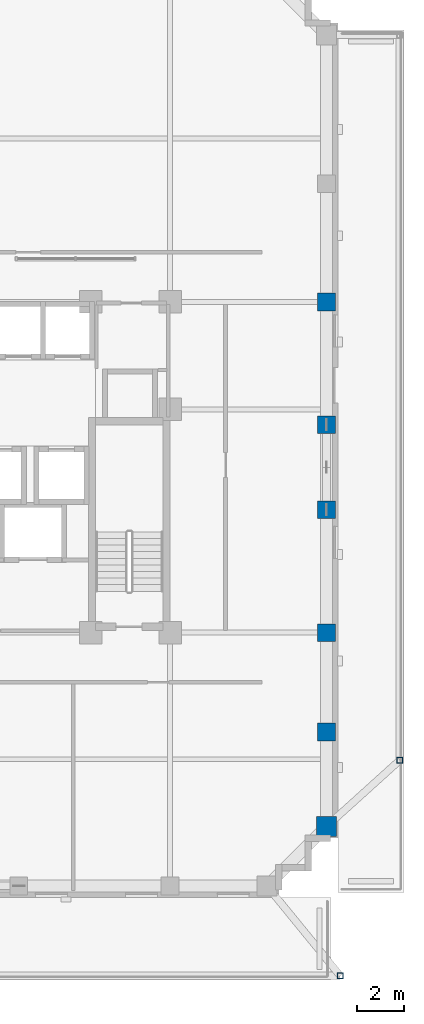
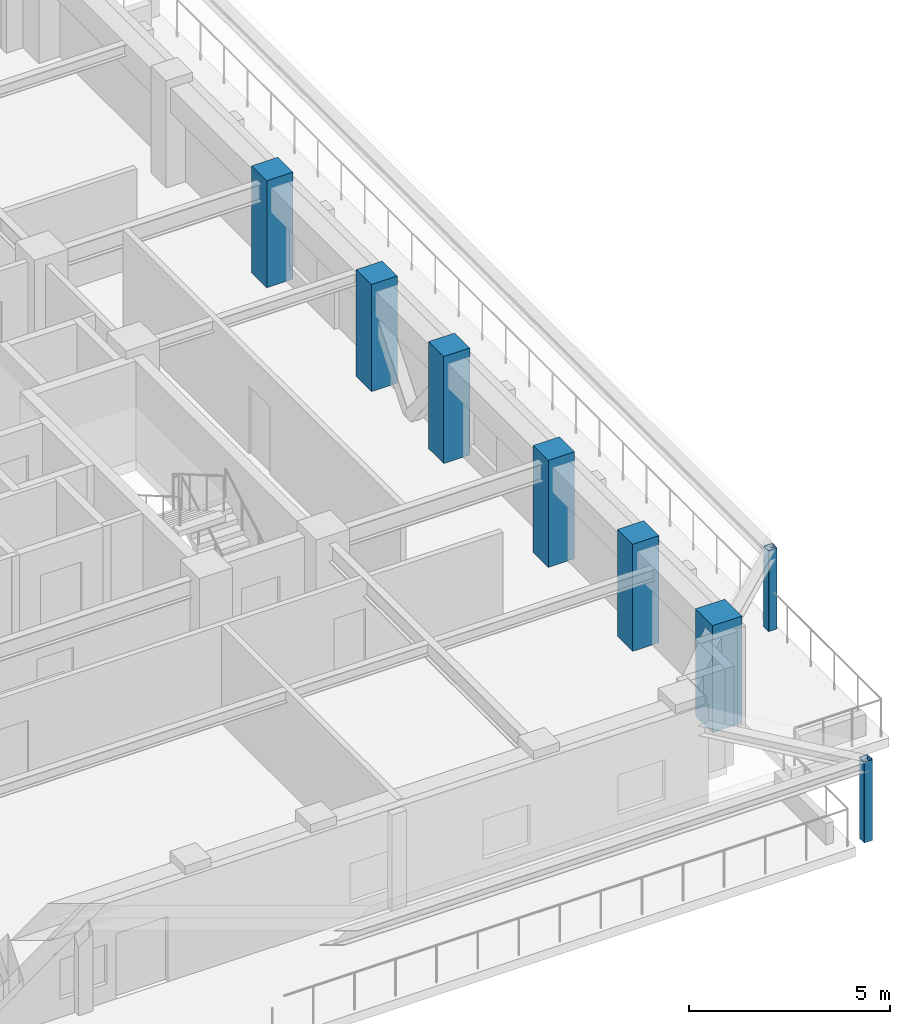
# One storey, part 3 of 15: 8 columns.
"""IFC4 building model written with IfcOpenShell, lengths in metres."""

from ifc_helpers import new_model, si_unit, derived_unit, direction, frame, origin, origin_2d, place, context, subcontext, project, spatial, rectangle, hollow_rectangle, extrude, material, material_profile, profile_set, type_object, element, save


model = new_model("IFC4")

# Units and contexts
model_context = context("Model", 3, precision=1e-05, world=origin(), true_north=direction((0.0, 1.0)))
body_context = subcontext(model_context, "Body", "Model", "MODEL_VIEW")
ifc_project = project(units=[si_unit("LENGTHUNIT", "METRE"), si_unit("AREAUNIT", "SQUARE_METRE"), si_unit("VOLUMEUNIT", "CUBIC_METRE"), si_unit("PLANEANGLEUNIT", "RADIAN"), si_unit("MASSUNIT", "GRAM", prefix="KILO"), derived_unit("THERMALTRANSMITTANCEUNIT", [(si_unit("MASSUNIT", "GRAM", prefix="KILO"), 1), (si_unit("TIMEUNIT", "SECOND"), -3), (si_unit("THERMODYNAMICTEMPERATUREUNIT", "KELVIN"), -1)])], contexts=[model_context])

# Site, building, storey
site_placement = place(None, origin())
site = spatial("IfcSite", under=ifc_project, at=site_placement, CompositionType="ELEMENT")
building_placement = place(site_placement, origin())
building = spatial("IfcBuilding", under=site, at=building_placement, Name="Korrvale Station Residences", CompositionType="ELEMENT")
storey_placement = place(building_placement, frame((0.0, 0.0, 124.39990234375)))
storey = spatial("IfcBuildingStorey", under=building, at=storey_placement, Name="L35", CompositionType="ELEMENT", Elevation=124.39990234375)

# Columns
ifc_material_1 = material(Name="Steel S355", Category="steel")
ifc_material_profile_1 = material_profile(ifc_material_1, hollow_rectangle(XDim=0.25390625, YDim=0.25390625, WallThickness=0.0126953125, InnerFilletRadius=0.0126953125, OuterFilletRadius=0.025390625, at=origin_2d()), Name="HSS254x254x13")
ifc_profile_set_1 = profile_set([ifc_material_profile_1], Name="Steel S355")
column_type_1 = type_object("IfcColumnType", Name="COL-C-HSS254x254x13-S355", PredefinedType="COLUMN", material=ifc_profile_set_1)
for number, where, z_axis, x_axis, name in (
    (1, (40.39990234375, 0.47998046875, 0.0), (0.0, 0.0, 1.0), (1.0, 0.0, 0.0), "L35 Setback Canopy Frame Post 2"),
    (2, (42.919921875, 9.60009765625, 0.0), (0.0, 0.0, 1.0), (1.0, 0.0, 0.0), "L35 Setback Canopy Frame Post 1"),
):
    element("IfcColumn", number, at=place(storey_placement, frame(where, z_axis=z_axis, x_axis=x_axis)), inside=storey, type_object=column_type_1, Name=name, PredefinedType="COLUMN", context=body_context, shape_type="SweptSolid", body=[
        extrude(hollow_rectangle(XDim=0.25390625, YDim=0.25390625, WallThickness=0.0126953125, InnerFilletRadius=0.0126953125, OuterFilletRadius=0.025390625, at=origin_2d()), origin(), (0.0, 0.0, 1.0), 2.4501953125),
    ])
ifc_material_2 = material(Name="Concrete C60/75", Category="concrete")
ifc_material_profile_2 = material_profile(ifc_material_2, rectangle(XDim=0.75, YDim=0.75, at=origin_2d()), Name="RC750x750")
ifc_profile_set_2 = profile_set([ifc_material_profile_2], Name="Concrete C60/75")
column_type_2 = type_object("IfcColumnType", Name="COL-C-RC750x750-C6075", PredefinedType="COLUMN", material=ifc_profile_set_2)
for number, where, z_axis, x_axis, name in (
    (3, (39.820068359375, 10.800048828125, 0.0), (0.0, 0.0, 1.0), (1.0, 0.0, 0.0), "L35 Bundled-Tube East Column 24"),
    (4, (39.820068359375, 15.0, 0.0), (0.0, 0.0, 1.0), (1.0, 0.0, 0.0), "L35 Bundled-Tube East Column 25"),
    (5, (39.820068359375, 20.199951171875, 0.0), (0.0, 0.0, 1.0), (1.0, 0.0, 0.0), "L35 Bundled-Tube East Column 26"),
    (6, (39.820068359375, 23.800048828125, 0.0), (0.0, 0.0, 1.0), (1.0, 0.0, 0.0), "L35 Bundled-Tube East Column 27"),
    (7, (39.820068359375, 29.0, 0.0), (0.0, 0.0, 1.0), (1.0, 0.0, 0.0), "L35 Bundled-Tube East Column 28"),
):
    element("IfcColumn", number, at=place(storey_placement, frame(where, z_axis=z_axis, x_axis=x_axis)), inside=storey, type_object=column_type_2, Name=name, PredefinedType="COLUMN", context=body_context, shape_type="SweptSolid", body=[
        extrude(rectangle(XDim=0.75, YDim=0.75, at=origin_2d()), origin(), (0.0, 0.0, 1.0), 3.25),
    ])
ifc_material_profile_3 = material_profile(ifc_material_2, rectangle(XDim=0.85009765625, YDim=0.85009765625, at=origin_2d()), Name="RC850x850")
ifc_profile_set_3 = profile_set([ifc_material_profile_3], Name="Concrete C60/75")
column_type_3 = type_object("IfcColumnType", Name="COL-C-RC850x850-C6075", PredefinedType="COLUMN", material=ifc_profile_set_3)
column_placement = place(storey_placement, frame((39.820068359375, 6.800048828125, 0.0), z_axis=(0.0, 0.0, 1.0), x_axis=(1.0, 0.0, 0.0)))
element("IfcColumn", 8, at=column_placement, inside=storey, type_object=column_type_3, Name="L35 Bundled-Tube East Column 23", PredefinedType="COLUMN", context=body_context, shape_type="SweptSolid", body=[
    extrude(rectangle(XDim=0.85009765625, YDim=0.85009765625, at=origin_2d()), origin(), (0.0, 0.0, 1.0), 3.25),
])

save(model, "model.ifc")
